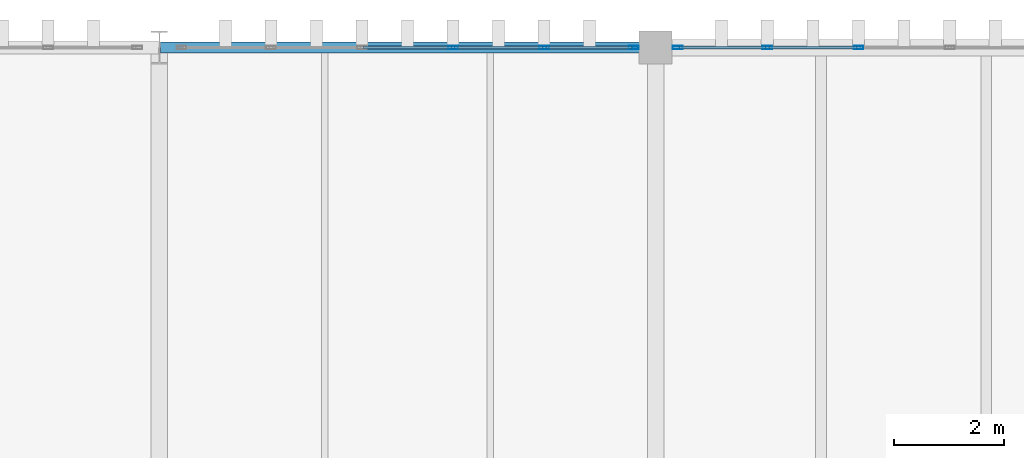
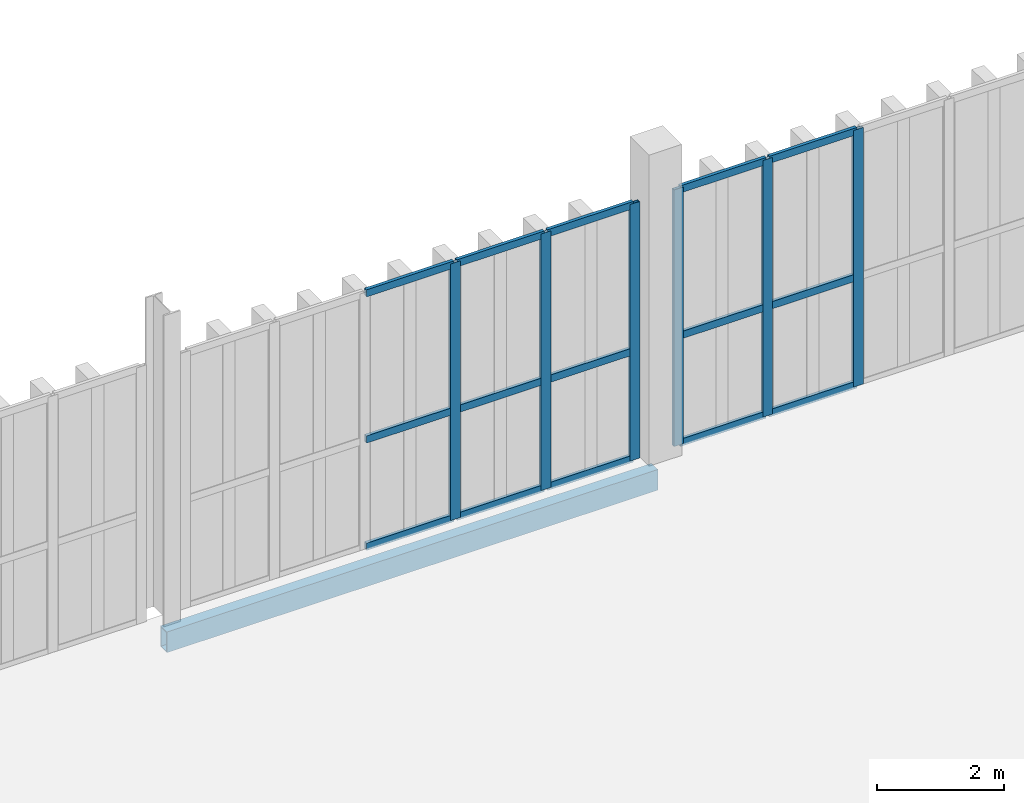
# One storey, part 139 of 211: 21 members, 1 beam, 2 elements without a shape of their own.
"""IFC4 building model written with IfcOpenShell, lengths in metres."""

import ifcopenshell
import ifcopenshell.guid

model = None  # the IFC model being written
_history = None  # IfcOwnerHistory: only IFC2X3 demands one
_inside = {}  # id of a spatial element -> (the spatial element, [elements in it])
_under = {}  # id of a project, library or spatial element -> (it, [spatial elements below it])
_declared = {}  # id of a project -> (the project, [libraries it declares])
_typed = {}  # id of a type object -> (the type object, [elements of that type])
_made_of = {}  # id of a material, layer set ... -> (it, [elements and type objects made of it])


def new_model(schema):
    """Start an empty IFC model of exactly this schema.

    Asked for "IFC4X3", IfcOpenShell would pick the latest addendum, in which some entities
    have other attributes; the version numbers below select the first issue.
    IFC2X3 requires an IfcOwnerHistory on every rooted entity: one is made here for all.
    """
    global model, _history
    if schema == "IFC4X3":
        model = ifcopenshell.file(schema_version=(4, 3, 0, 0))
    else:
        model = ifcopenshell.file(schema=schema)
    _inside.clear()
    _under.clear()
    _declared.clear()
    _typed.clear()
    _made_of.clear()
    _history = None
    if model.schema == "IFC2X3":
        org = make("IfcOrganization", Name="unknown")
        user = make(
            "IfcPersonAndOrganization",
            ThePerson=make("IfcPerson", FamilyName="unknown"),
            TheOrganization=org,
        )
        app = make(
            "IfcApplication",
            ApplicationDeveloper=org,
            Version="unknown",
            ApplicationFullName="unknown",
            ApplicationIdentifier="unknown",
        )
        _history = make(
            "IfcOwnerHistory",
            OwningUser=user,
            OwningApplication=app,
            ChangeAction="ADDED",
            CreationDate=0,
        )
    return model


def make(cls, **values):
    """One entity of the class cls with the attributes given. An attribute that is None is left unset."""
    return model.create_entity(
        cls, **{name: value for name, value in values.items() if value is not None}
    )


def rooted(cls, **values):
    """An entity with a GlobalId (a new one), such as an element, a storey or a relation."""
    return make(cls, GlobalId=ifcopenshell.guid.new(), OwnerHistory=_history, **values)


def si_unit(unit_type, name, prefix=None):
    """IfcSIUnit, for example si_unit("LENGTHUNIT", "METRE", prefix="MILLI")."""
    return make("IfcSIUnit", UnitType=unit_type, Prefix=prefix, Name=name)


def assignment(units):
    """IfcUnitAssignment: the units of a project."""
    return None if units is None else make("IfcUnitAssignment", Units=units)


def point(xyz):
    """IfcCartesianPoint."""
    return None if xyz is None else make("IfcCartesianPoint", Coordinates=xyz)


def direction(xyz):
    """IfcDirection."""
    return None if xyz is None else make("IfcDirection", DirectionRatios=xyz)


def frame(location, z_axis=None, x_axis=None):
    """IfcAxis2Placement3D, a coordinate frame: its origin and axes. An axis left out is left unset."""
    return make(
        "IfcAxis2Placement3D",
        Location=point(location),
        Axis=direction(z_axis),
        RefDirection=direction(x_axis),
    )


def frame_2d(location, x_axis=None):
    """IfcAxis2Placement2D, a coordinate frame in the plane: its origin and x axis."""
    return make(
        "IfcAxis2Placement2D", Location=point(location), RefDirection=direction(x_axis)
    )


def origin():
    """The frame at (0, 0, 0) with its axes left unset."""
    return frame((0.0, 0.0, 0.0))


def origin_2d():
    """The frame at (0, 0) in the plane with its x axis left unset."""
    return frame_2d((0.0, 0.0))


def place(relative_to, where):
    """IfcLocalPlacement: puts the frame where relative to a parent placement (None: the world)."""
    return make(
        "IfcLocalPlacement", PlacementRelTo=relative_to, RelativePlacement=where
    )


def context(
    kind, dimensions, precision=None, world=None, true_north=None, identifier=None
):
    """IfcGeometricRepresentationContext, for example the 3D "Model" context."""
    return make(
        "IfcGeometricRepresentationContext",
        ContextIdentifier=identifier,
        ContextType=kind,
        CoordinateSpaceDimension=dimensions,
        Precision=precision,
        WorldCoordinateSystem=world,
        TrueNorth=true_north,
    )


def subcontext(parent, identifier, kind, view, scale=None):
    """IfcGeometricRepresentationSubContext, for example "Body" below "Model"."""
    return make(
        "IfcGeometricRepresentationSubContext",
        ContextIdentifier=identifier,
        ContextType=kind,
        ParentContext=parent,
        TargetScale=scale,
        TargetView=view,
    )


def project(units=None, contexts=None):
    """IfcProject with its units and contexts."""
    return rooted(
        "IfcProject",
        Name="project",
        RepresentationContexts=contexts,
        UnitsInContext=assignment(units),
    )


def spatial(cls, under=None, at=None, **own):
    """A site, building, storey or space (cls), placed at a placement, below another one or the project."""
    s = rooted(cls, ObjectPlacement=at, **own)
    if under is not None:
        _under.setdefault(under.id(), (under, []))[1].append(s)
    return s


def profile(cls, at=None, kind="AREA", **sizes):
    """A parametric profile (cls). Its sizes go by their IFC names, for example OverallWidth=200.0."""
    return make(cls, ProfileType=kind, Position=at, **sizes)


def hollow_rectangle(**sizes):
    """IfcRectangleHollowProfileDef."""
    return profile("IfcRectangleHollowProfileDef", **sizes)


def extrude(swept, where, along, depth):
    """IfcExtrudedAreaSolid: the profile swept, set in the frame where, extruded along a direction by depth."""
    return make(
        "IfcExtrudedAreaSolid",
        SweptArea=swept,
        Position=where,
        ExtrudedDirection=direction(along),
        Depth=depth,
    )


def shape(context_of_items, identifier, shape_type, items):
    """IfcShapeRepresentation: the items that make up one representation, for example the "Body"."""
    return make(
        "IfcShapeRepresentation",
        ContextOfItems=context_of_items,
        RepresentationIdentifier=identifier,
        RepresentationType=shape_type,
        Items=items,
    )


def material(Name=None, Category=None):
    """IfcMaterial."""
    return make("IfcMaterial", Name=Name, Category=Category)


def layer(
    of_material, thickness, ventilated=None, Name=None, Category=None, Priority=None
):
    """IfcMaterialLayer: one layer of a wall or slab, of a material (None: an air gap)."""
    return make(
        "IfcMaterialLayer",
        Material=of_material,
        LayerThickness=thickness,
        IsVentilated=ventilated,
        Name=Name,
        Category=Category,
        Priority=Priority,
    )


def layer_set(layers, Name=None):
    """IfcMaterialLayerSet."""
    return make("IfcMaterialLayerSet", MaterialLayers=layers, LayerSetName=Name)


def material_profile(
    of_material, cross_section, Name=None, Category=None, Priority=None
):
    """IfcMaterialProfile: a cross section and its material."""
    return make(
        "IfcMaterialProfile",
        Name=Name,
        Material=of_material,
        Profile=cross_section,
        Priority=Priority,
        Category=Category,
    )


def profile_set(profiles, Name=None, composite=None):
    """IfcMaterialProfileSet."""
    return make(
        "IfcMaterialProfileSet",
        Name=Name,
        MaterialProfiles=profiles,
        CompositeProfile=composite,
    )


def made_of(thing, what):
    """Note that an element or type object is made of a material, layer set ...; save() writes the relation."""
    if what is not None:
        _made_of.setdefault(what.id(), (what, []))[1].append(thing)
    return thing


def type_object(cls, material=None, **own):
    """A type object (cls), such as IfcWallType, which elements share."""
    return made_of(rooted(cls, **own), material)


def element(
    cls,
    number,
    at=None,
    inside=None,
    cuts=None,
    type_object=None,
    material=None,
    context=None,
    identifier="Body",
    shape_type=None,
    held_by="IfcProductDefinitionShape",
    body=None,
    shapes=None,
    **own,
):
    """One element of the class cls, such as IfcWall. Its Tag is "e" and its number.

    at: its placement. inside: the storey or other place that contains it. cuts: it is an
    opening in that element (IfcRelVoidsElement). A single representation is given by context,
    identifier, shape_type and body (its items); several are given by shapes. held_by: the class
    of the entity that holds the representations. save() writes the other relations.
    """
    e = rooted(cls, Tag="e%d" % number, ObjectPlacement=at, **own)
    if body is not None:
        shapes = [shape(context, identifier, shape_type, body)]
    if shapes is not None:
        e.Representation = make(held_by, Representations=shapes)
    if inside is not None:
        _inside.setdefault(inside.id(), (inside, []))[1].append(e)
    if cuts is not None:
        rooted(
            "IfcRelVoidsElement", RelatingBuildingElement=cuts, RelatedOpeningElement=e
        )
    if type_object is not None:
        _typed.setdefault(type_object.id(), (type_object, []))[1].append(e)
    return made_of(e, material)


def aggregate(whole, parts):
    """IfcRelAggregates: a whole, such as a stair, and the parts it consists of."""
    return rooted("IfcRelAggregates", RelatingObject=whole, RelatedObjects=parts)


def save(model, path):
    """Write the relations noted so far, then the file.

    IfcRelAggregates (storeys below a building ...), IfcRelContainedInSpatialStructure (elements
    in a storey), IfcRelDefinesByType, IfcRelAssociatesMaterial and IfcRelDeclares: one each for
    every whole, place, type object, material and project.
    """
    for whole, parts in _under.values():
        aggregate(whole, parts)
    for where, things in _inside.values():
        rooted(
            "IfcRelContainedInSpatialStructure",
            RelatedElements=things,
            RelatingStructure=where,
        )
    for kind, things in _typed.values():
        rooted("IfcRelDefinesByType", RelatedObjects=things, RelatingType=kind)
    for what, things in _made_of.values():
        rooted("IfcRelAssociatesMaterial", RelatedObjects=things, RelatingMaterial=what)
    for by, libraries in _declared.values():
        rooted("IfcRelDeclares", RelatingContext=by, RelatedDefinitions=libraries)
    model.write(path)


model = new_model("IFC4")

# Units and contexts
model_context = context("Model", 3, precision=1e-05, world=origin(), true_north=direction((0.0, 1.0)))
body_context = subcontext(model_context, "Body", "Model", "MODEL_VIEW")
ifc_project = project(units=[si_unit("LENGTHUNIT", "METRE"), si_unit("AREAUNIT", "SQUARE_METRE"), si_unit("VOLUMEUNIT", "CUBIC_METRE"), si_unit("PLANEANGLEUNIT", "RADIAN"), si_unit("MASSUNIT", "GRAM", prefix="KILO")], contexts=[model_context])

# Site, building, storey
site_placement = place(None, origin())
site = spatial("IfcSite", under=ifc_project, at=site_placement, CompositionType="ELEMENT")
building_placement = place(site_placement, origin())
building = spatial("IfcBuilding", under=site, at=building_placement, Name="Barlavento Convention Centre", CompositionType="ELEMENT")
storey_placement = place(building_placement, frame((0.0, 0.0, 6.0)))
storey = spatial("IfcBuildingStorey", under=building, at=storey_placement, Name="L01", CompositionType="ELEMENT", Elevation=6.0)

# Curtain wall, members
ifc_material_1 = material(Name="Powder-coated aluminium and Low-E glass", Category="aluminium")
ifc_layer = layer(ifc_material_1, 0.179931640625)
ifc_layer_set = layer_set([ifc_layer], Name="ARC-CW-EXH-L01")
curtain_wall_type = type_object("IfcCurtainWallType", Name="ARC-CW-EXH-L01", PredefinedType="NOTDEFINED", material=ifc_layer_set)
curtain_wall_1_placement = place(storey_placement, origin())
curtain_wall_1 = element("IfcCurtainWall", 1, at=curtain_wall_1_placement, inside=storey, type_object=curtain_wall_type, Name="L01 unitised curtain wall CW04", PredefinedType="NOTDEFINED")
ifc_material_2 = material(Name="Powder-coated aluminium", Category="aluminium")
ifc_material_profile_1 = material_profile(ifc_material_2, hollow_rectangle(XDim=0.06005859375, YDim=0.179931640625, WallThickness=0.0048828125, at=origin_2d()), Name="AL-MULL 60x180x5")
ifc_profile_set_1 = profile_set([ifc_material_profile_1], Name="Powder-coated aluminium")
member_type_1 = type_object("IfcMemberType", Name="ARC-CWM-60X180", PredefinedType="MULLION", material=ifc_profile_set_1)
member_1_placement = place(storey_placement, frame((32.325927734375, 135.0, 0.0), z_axis=(0.0, 0.0, 1.0), x_axis=(0.0, 1.0, 0.0)))
member_1 = element("IfcMember", 2, at=member_1_placement, type_object=member_type_1, Name="CW04 mullion 4", PredefinedType="MULLION", context=body_context, shape_type="SweptSolid", body=[
    extrude(hollow_rectangle(XDim=0.06005859375, YDim=0.179931640625, WallThickness=0.0048828125, at=origin_2d()), origin(), (0.0, 0.0, 1.0), 4.949951171875),
])
member_2_placement = place(storey_placement, frame((33.97802734375, 135.0, 0.0), z_axis=(0.0, 0.0, 1.0), x_axis=(0.0, 1.0, 0.0)))
member_2 = element("IfcMember", 3, at=member_2_placement, type_object=member_type_1, Name="CW04 mullion 5", PredefinedType="MULLION", context=body_context, shape_type="SweptSolid", body=[
    extrude(hollow_rectangle(XDim=0.06005859375, YDim=0.179931640625, WallThickness=0.0048828125, at=origin_2d()), origin(), (0.0, 0.0, 1.0), 4.949951171875),
])
member_3_placement = place(storey_placement, frame((35.60009765625, 135.0, 0.0), z_axis=(0.0, 0.0, 1.0), x_axis=(0.0, 1.0, 0.0)))
member_3 = element("IfcMember", 4, at=member_3_placement, type_object=member_type_1, Name="CW04 mullion 6", PredefinedType="MULLION", context=body_context, shape_type="SweptSolid", body=[
    extrude(hollow_rectangle(XDim=0.06005859375, YDim=0.179931640625, WallThickness=0.0048828125, at=origin_2d()), origin(), (0.0, 0.0, 1.0), 4.949951171875),
])

curtain_wall_2_placement = place(storey_placement, origin())
curtain_wall_2 = element("IfcCurtainWall", 5, at=curtain_wall_2_placement, inside=storey, type_object=curtain_wall_type, Name="L01 unitised curtain wall CW04", PredefinedType="NOTDEFINED")
member_4_placement = place(storey_placement, frame((36.39990234375, 135.0, 0.0), z_axis=(0.0, 0.0, 1.0), x_axis=(0.0, 1.0, 0.0)))
member_4 = element("IfcMember", 6, at=member_4_placement, type_object=member_type_1, Name="CW04 mullion 1", PredefinedType="MULLION", context=body_context, shape_type="SweptSolid", body=[
    extrude(hollow_rectangle(XDim=0.06005859375, YDim=0.179931640625, WallThickness=0.0048828125, at=origin_2d()), origin(), (0.0, 0.0, 1.0), 4.949951171875),
])
member_5_placement = place(storey_placement, frame((38.02490234375, 135.0, 0.0), z_axis=(0.0, 0.0, 1.0), x_axis=(0.0, 1.0, 0.0)))
member_5 = element("IfcMember", 7, at=member_5_placement, type_object=member_type_1, Name="CW04 mullion 2", PredefinedType="MULLION", context=body_context, shape_type="SweptSolid", body=[
    extrude(hollow_rectangle(XDim=0.06005859375, YDim=0.179931640625, WallThickness=0.0048828125, at=origin_2d()), origin(), (0.0, 0.0, 1.0), 4.949951171875),
])
member_6_placement = place(storey_placement, frame((39.6796875, 135.0, 0.0), z_axis=(0.0, 0.0, 1.0), x_axis=(0.0, 1.0, 0.0)))
member_6 = element("IfcMember", 8, at=member_6_placement, type_object=member_type_1, Name="CW04 mullion 3", PredefinedType="MULLION", context=body_context, shape_type="SweptSolid", body=[
    extrude(hollow_rectangle(XDim=0.06005859375, YDim=0.179931640625, WallThickness=0.0048828125, at=origin_2d()), origin(), (0.0, 0.0, 1.0), 4.949951171875),
])

# Member
ifc_material_profile_2 = material_profile(ifc_material_2, hollow_rectangle(XDim=0.06005859375, YDim=0.139892578125, WallThickness=0.00390625, at=origin_2d()), Name="AL-TRAN 60x140x4")
ifc_profile_set_2 = profile_set([ifc_material_profile_2], Name="Powder-coated aluminium")
member_type_2 = type_object("IfcMemberType", Name="ARC-CWT-60X140", PredefinedType="USERDEFINED", material=ifc_profile_set_2)
member_7_placement = place(storey_placement, frame((30.7041015625, 135.0, 0.030029296875), z_axis=(1.0, 0.0, 0.0), x_axis=(0.0, 1.0, 0.0)))
member_7 = element("IfcMember", 9, at=member_7_placement, type_object=member_type_2, Name="CW04 transom 3.1", ObjectType="TRANSOM", PredefinedType="USERDEFINED", context=body_context, shape_type="SweptSolid", body=[
    extrude(hollow_rectangle(XDim=0.06005859375, YDim=0.139892578125, WallThickness=0.00390625, at=origin_2d()), origin(), (0.0, 0.0, 1.0), 1.591796875),
])

member_8_placement = place(storey_placement, frame((30.7041015625, 135.0, 2.10009765625), z_axis=(1.0, 0.0, 0.0), x_axis=(0.0, 1.0, 0.0)))
member_8 = element("IfcMember", 10, at=member_8_placement, type_object=member_type_2, Name="CW04 transom 3.2", ObjectType="TRANSOM", PredefinedType="USERDEFINED", context=body_context, shape_type="SweptSolid", body=[
    extrude(hollow_rectangle(XDim=0.06005859375, YDim=0.139892578125, WallThickness=0.00390625, at=origin_2d()), origin(), (0.0, 0.0, 1.0), 1.591796875),
])

member_9_placement = place(storey_placement, frame((30.7041015625, 135.0, 4.919921875), z_axis=(1.0, 0.0, 0.0), x_axis=(0.0, 1.0, 0.0)))
member_9 = element("IfcMember", 11, at=member_9_placement, type_object=member_type_2, Name="CW04 transom 3.3", ObjectType="TRANSOM", PredefinedType="USERDEFINED", context=body_context, shape_type="SweptSolid", body=[
    extrude(hollow_rectangle(XDim=0.06005859375, YDim=0.139892578125, WallThickness=0.00390625, at=origin_2d()), origin(), (0.0, 0.0, 1.0), 1.591796875),
])

member_10_placement = place(storey_placement, frame((32.35595703125, 135.0, 0.030029296875), z_axis=(1.0, 0.0, 0.0), x_axis=(0.0, 1.0, 0.0)))
member_10 = element("IfcMember", 12, at=member_10_placement, type_object=member_type_2, Name="CW04 transom 4.1", ObjectType="TRANSOM", PredefinedType="USERDEFINED", context=body_context, shape_type="SweptSolid", body=[
    extrude(hollow_rectangle(XDim=0.06005859375, YDim=0.139892578125, WallThickness=0.00390625, at=origin_2d()), origin(), (0.0, 0.0, 1.0), 1.592041015625),
])

member_11_placement = place(storey_placement, frame((32.35595703125, 135.0, 2.10009765625), z_axis=(1.0, 0.0, 0.0), x_axis=(0.0, 1.0, 0.0)))
member_11 = element("IfcMember", 13, at=member_11_placement, type_object=member_type_2, Name="CW04 transom 4.2", ObjectType="TRANSOM", PredefinedType="USERDEFINED", context=body_context, shape_type="SweptSolid", body=[
    extrude(hollow_rectangle(XDim=0.06005859375, YDim=0.139892578125, WallThickness=0.00390625, at=origin_2d()), origin(), (0.0, 0.0, 1.0), 1.592041015625),
])

member_12_placement = place(storey_placement, frame((32.35595703125, 135.0, 4.919921875), z_axis=(1.0, 0.0, 0.0), x_axis=(0.0, 1.0, 0.0)))
member_12 = element("IfcMember", 14, at=member_12_placement, type_object=member_type_2, Name="CW04 transom 4.3", ObjectType="TRANSOM", PredefinedType="USERDEFINED", context=body_context, shape_type="SweptSolid", body=[
    extrude(hollow_rectangle(XDim=0.06005859375, YDim=0.139892578125, WallThickness=0.00390625, at=origin_2d()), origin(), (0.0, 0.0, 1.0), 1.592041015625),
])

member_13_placement = place(storey_placement, frame((34.008056640625, 135.0, 0.030029296875), z_axis=(1.0, 0.0, 0.0), x_axis=(0.0, 1.0, 0.0)))
member_13 = element("IfcMember", 15, at=member_13_placement, type_object=member_type_2, Name="CW04 transom 5.1", ObjectType="TRANSOM", PredefinedType="USERDEFINED", context=body_context, shape_type="SweptSolid", body=[
    extrude(hollow_rectangle(XDim=0.06005859375, YDim=0.139892578125, WallThickness=0.00390625, at=origin_2d()), origin(), (0.0, 0.0, 1.0), 1.56201171875),
])

member_14_placement = place(storey_placement, frame((34.008056640625, 135.0, 2.10009765625), z_axis=(1.0, 0.0, 0.0), x_axis=(0.0, 1.0, 0.0)))
member_14 = element("IfcMember", 16, at=member_14_placement, type_object=member_type_2, Name="CW04 transom 5.2", ObjectType="TRANSOM", PredefinedType="USERDEFINED", context=body_context, shape_type="SweptSolid", body=[
    extrude(hollow_rectangle(XDim=0.06005859375, YDim=0.139892578125, WallThickness=0.00390625, at=origin_2d()), origin(), (0.0, 0.0, 1.0), 1.56201171875),
])

member_15_placement = place(storey_placement, frame((34.008056640625, 135.0, 4.919921875), z_axis=(1.0, 0.0, 0.0), x_axis=(0.0, 1.0, 0.0)))
member_15 = element("IfcMember", 17, at=member_15_placement, type_object=member_type_2, Name="CW04 transom 5.3", ObjectType="TRANSOM", PredefinedType="USERDEFINED", context=body_context, shape_type="SweptSolid", body=[
    extrude(hollow_rectangle(XDim=0.06005859375, YDim=0.139892578125, WallThickness=0.00390625, at=origin_2d()), origin(), (0.0, 0.0, 1.0), 1.56201171875),
])

aggregate(curtain_wall_1, [member_1, member_2, member_3, member_7, member_8, member_9, member_10, member_11, member_12, member_13, member_14, member_15])

member_16_placement = place(storey_placement, frame((36.429931640625, 135.0, 0.030029296875), z_axis=(1.0, 0.0, 0.0), x_axis=(0.0, 1.0, 0.0)))
member_16 = element("IfcMember", 18, at=member_16_placement, type_object=member_type_2, Name="CW04 transom 1.1", ObjectType="TRANSOM", PredefinedType="USERDEFINED", context=body_context, shape_type="SweptSolid", body=[
    extrude(hollow_rectangle(XDim=0.06005859375, YDim=0.139892578125, WallThickness=0.00390625, at=origin_2d()), origin(), (0.0, 0.0, 1.0), 1.56494140625),
])

member_17_placement = place(storey_placement, frame((36.429931640625, 135.0, 2.10009765625), z_axis=(1.0, 0.0, 0.0), x_axis=(0.0, 1.0, 0.0)))
member_17 = element("IfcMember", 19, at=member_17_placement, type_object=member_type_2, Name="CW04 transom 1.2", ObjectType="TRANSOM", PredefinedType="USERDEFINED", context=body_context, shape_type="SweptSolid", body=[
    extrude(hollow_rectangle(XDim=0.06005859375, YDim=0.139892578125, WallThickness=0.00390625, at=origin_2d()), origin(), (0.0, 0.0, 1.0), 1.56494140625),
])

member_18_placement = place(storey_placement, frame((36.429931640625, 135.0, 4.919921875), z_axis=(1.0, 0.0, 0.0), x_axis=(0.0, 1.0, 0.0)))
member_18 = element("IfcMember", 20, at=member_18_placement, type_object=member_type_2, Name="CW04 transom 1.3", ObjectType="TRANSOM", PredefinedType="USERDEFINED", context=body_context, shape_type="SweptSolid", body=[
    extrude(hollow_rectangle(XDim=0.06005859375, YDim=0.139892578125, WallThickness=0.00390625, at=origin_2d()), origin(), (0.0, 0.0, 1.0), 1.56494140625),
])

member_19_placement = place(storey_placement, frame((38.0546875, 135.0, 0.030029296875), z_axis=(1.0, 0.0, 0.0), x_axis=(0.0, 1.0, 0.0)))
member_19 = element("IfcMember", 21, at=member_19_placement, type_object=member_type_2, Name="CW04 transom 2.1", ObjectType="TRANSOM", PredefinedType="USERDEFINED", context=body_context, shape_type="SweptSolid", body=[
    extrude(hollow_rectangle(XDim=0.06005859375, YDim=0.139892578125, WallThickness=0.00390625, at=origin_2d()), origin(), (0.0, 0.0, 1.0), 1.594970703125),
])

member_20_placement = place(storey_placement, frame((38.0546875, 135.0, 2.10009765625), z_axis=(1.0, 0.0, 0.0), x_axis=(0.0, 1.0, 0.0)))
member_20 = element("IfcMember", 22, at=member_20_placement, type_object=member_type_2, Name="CW04 transom 2.2", ObjectType="TRANSOM", PredefinedType="USERDEFINED", context=body_context, shape_type="SweptSolid", body=[
    extrude(hollow_rectangle(XDim=0.06005859375, YDim=0.139892578125, WallThickness=0.00390625, at=origin_2d()), origin(), (0.0, 0.0, 1.0), 1.594970703125),
])

member_21_placement = place(storey_placement, frame((38.0546875, 135.0, 4.919921875), z_axis=(1.0, 0.0, 0.0), x_axis=(0.0, 1.0, 0.0)))
member_21 = element("IfcMember", 23, at=member_21_placement, type_object=member_type_2, Name="CW04 transom 2.3", ObjectType="TRANSOM", PredefinedType="USERDEFINED", context=body_context, shape_type="SweptSolid", body=[
    extrude(hollow_rectangle(XDim=0.06005859375, YDim=0.139892578125, WallThickness=0.00390625, at=origin_2d()), origin(), (0.0, 0.0, 1.0), 1.594970703125),
])

aggregate(curtain_wall_2, [member_4, member_5, member_6, member_16, member_17, member_18, member_19, member_20, member_21])

# Beam
ifc_material_3 = material(Name="Steel S355", Category="steel")
ifc_material_profile_3 = material_profile(ifc_material_3, hollow_rectangle(XDim=0.199951171875, YDim=0.39990234375, WallThickness=0.01611328125, at=origin_2d()), Name="RHS 400x200x16.0")
ifc_profile_set_3 = profile_set([ifc_material_profile_3], Name="Steel S355")
beam_type = type_object("IfcBeamType", Name="STR-BM-SPN-RHS400", PredefinedType="SPANDREL", material=ifc_profile_set_3)
beam_placement = place(storey_placement, frame((27.02001953125, 135.0, -0.47998046875), z_axis=(1.0, 0.0, 0.0), x_axis=(0.0, 1.0, 0.0)))
element("IfcBeam", 24, at=beam_placement, inside=storey, type_object=beam_type, Name="L01 primary girder SP06", PredefinedType="SPANDREL", context=body_context, shape_type="SweptSolid", body=[
    extrude(hollow_rectangle(XDim=0.199951171875, YDim=0.39990234375, WallThickness=0.01611328125, at=origin_2d()), origin(), (0.0, 0.0, 1.0), 8.9599609375),
])

save(model, "model.ifc")
